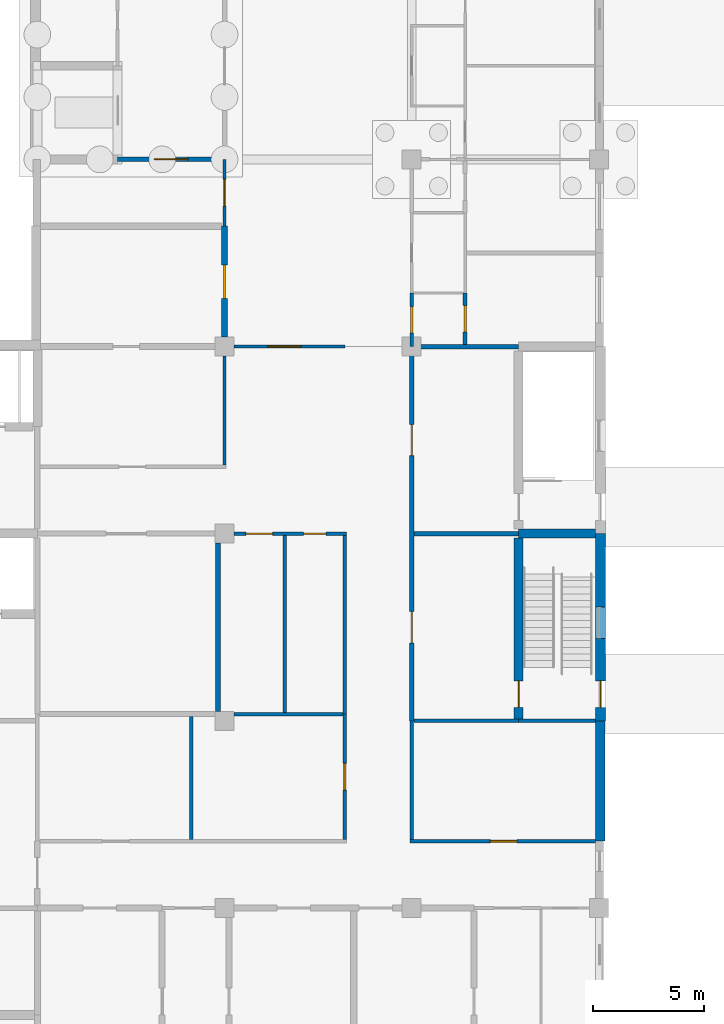
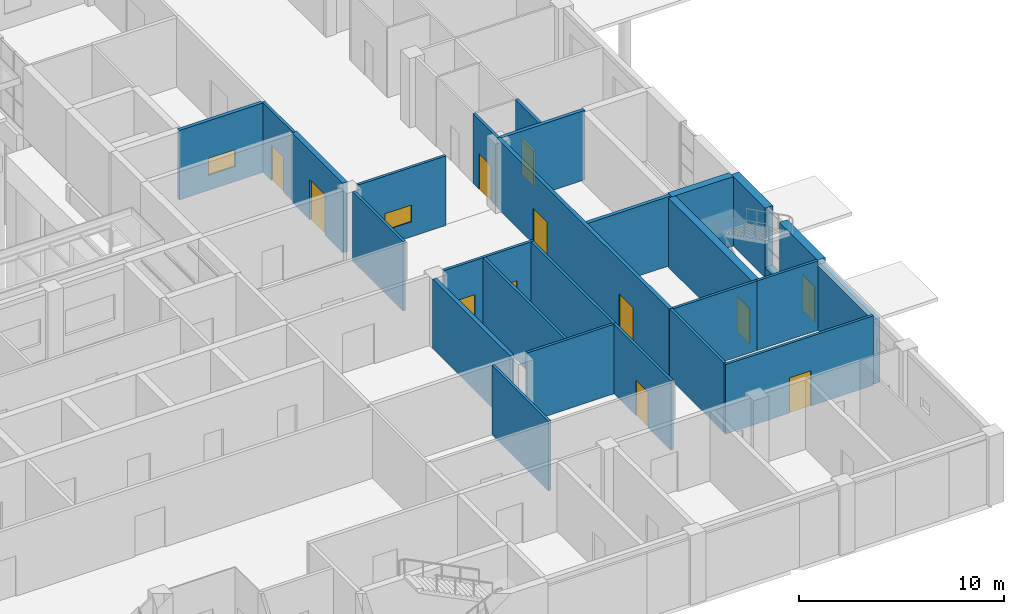
# One storey, part 115 of 138: 27 walls, 12 doors, 2 windows, 14 openings.
"""IFC4 building model written with IfcOpenShell, lengths in metres."""

from ifc_helpers import new_model, si_unit, direction, frame, frame_2d, origin, place, context, subcontext, project, spatial, rectangle, extrude, material, layer, layer_set, type_object, element, fill, save


model = new_model("IFC4")

# Units and contexts
model_context = context("Model", 3, precision=1e-05, world=origin(), true_north=direction((0.0, 1.0)))
body_context = subcontext(model_context, "Body", "Model", "MODEL_VIEW")
ifc_project = project(units=[si_unit("LENGTHUNIT", "METRE"), si_unit("AREAUNIT", "SQUARE_METRE"), si_unit("VOLUMEUNIT", "CUBIC_METRE"), si_unit("PLANEANGLEUNIT", "RADIAN"), si_unit("MASSUNIT", "GRAM", prefix="KILO")], contexts=[model_context])

# Site, building, storey
site_placement = place(None, origin())
site = spatial("IfcSite", under=ifc_project, at=site_placement, CompositionType="ELEMENT")
building_placement = place(site_placement, origin())
building = spatial("IfcBuilding", under=site, at=building_placement, Name="Yavir Park General Hospital", CompositionType="ELEMENT")
storey_placement = place(building_placement, origin())
storey = spatial("IfcBuildingStorey", under=building, at=storey_placement, Name="L00", CompositionType="ELEMENT", Elevation=0.0)

# Wall, opening, door
ifc_material_1 = material(Name="Double-leaf gypsum board acoustic partition on staggered studs")
ifc_layer_1 = layer(ifc_material_1, 0.175048828125)
ifc_layer_set_1 = layer_set([ifc_layer_1], Name="Double-leaf gypsum board acoustic partition on staggered studs")
wall_type_1 = type_object("IfcWallType", Name="Acoustic partition 175", PredefinedType="PARTITIONING", material=ifc_layer_set_1)
wall_1_placement = place(storey_placement, frame((162.0, 33.699951171875, 0.0), z_axis=(0.0, 0.0, 1.0), x_axis=(0.0, 1.0, 0.0)))
wall_1 = element("IfcWall", 1, at=wall_1_placement, inside=storey, type_object=wall_type_1, Name="AP175 L00-514", PredefinedType="PARTITIONING", context=body_context, shape_type="SweptSolid", body=[
    extrude(rectangle(XDim=2.300048828125, YDim=0.175048828125, at=frame_2d((1.14990234375, 0.0))), origin(), (0.0, 0.0, 1.0), 4.139892578125),
])
opening_1_placement = place(wall_1_placement, frame((0.550048828125, 0.0, 0.0)))
opening_1 = element("IfcOpeningElement", 2, at=opening_1_placement, cuts=wall_1, Name="Opening L00.D238", PredefinedType="OPENING", context=body_context, shape_type="SweptSolid", body=[
    extrude(rectangle(XDim=1.199951171875, YDim=2.10009765625, at=frame_2d((0.60009765625, 1.050048828125))), frame((0.0, 0.097412109375, 0.0), z_axis=(0.0, -1.0, 0.0), x_axis=(1.0, 0.0, 0.0)), (0.0, 0.0, 1.0), 0.195068359375),
])
ifc_material_2 = material(Name="Sealed steel door leaf, compression seals", Category="steel")
door_type_1 = type_object("IfcDoorType", Name="Isolation airlock door 1200 x 2100", OperationType="SINGLE_SWING_LEFT", PredefinedType="DOOR", material=ifc_material_2)
door_1_placement = place(opening_1_placement, origin())
door_1 = element("IfcDoor", 3, at=door_1_placement, inside=storey, type_object=door_type_1, Name="L00.D238", OperationType="SINGLE_SWING_LEFT", OverallHeight=2.10009765625, OverallWidth=1.199951171875, PredefinedType="DOOR", context=body_context, shape_type="SweptSolid", body=[
    extrude(rectangle(XDim=1.199951171875, YDim=2.10009765625, at=frame_2d((0.60009765625, 1.050048828125))), frame((0.0, 0.050048828125, 0.0), z_axis=(0.0, -1.0, 0.0), x_axis=(1.0, 0.0, 0.0)), (0.0, 0.0, 1.0), 0.10009765625),
])
fill(opening_1, door_1)

# Walls
ifc_material_3 = material(Name="Double gypsum board fire partition on steel studs", Category="steel")
ifc_layer_2 = layer(ifc_material_3, 0.199951171875)
ifc_layer_set_2 = layer_set([ifc_layer_2], Name="Double gypsum board fire partition on steel studs")
wall_type_2 = type_object("IfcWallType", Name="Fire-rated partition 200, EI 60", PredefinedType="PARTITIONING", material=ifc_layer_set_2)
for number, where, z_axis, x_axis, name in (
    (4, (159.699951171875, 25.199951171875, 0.0), (0.0, 0.0, 1.0), (1.0, 0.0, 0.0), "FP20 L00-073"),
    (5, (159.699951171875, 33.60009765625, 0.0), (0.0, 0.0, 1.0), (1.0, 0.0, 0.0), "FP20 L00-094"),
):
    element("IfcWall", number, at=place(storey_placement, frame(where, z_axis=z_axis, x_axis=x_axis)), inside=storey, type_object=wall_type_2, Name=name, PredefinedType="PARTITIONING", context=body_context, shape_type="SweptSolid", body=[
        extrude(rectangle(XDim=4.699951171875, YDim=0.199951171875, at=frame_2d((2.35009765625, 0.0))), origin(), (0.0, 0.0, 1.0), 4.139892578125),
    ])

# Wall, opening, window
wall_2_placement = place(storey_placement, frame((146.39990234375, 42.0, 0.0), z_axis=(0.0, 0.0, 1.0), x_axis=(1.0, 0.0, 0.0)))
wall_2 = element("IfcWall", 6, at=wall_2_placement, inside=storey, type_object=wall_type_2, Name="FP20 L00-112", PredefinedType="PARTITIONING", context=body_context, shape_type="SweptSolid", body=[
    extrude(rectangle(XDim=4.7001953125, YDim=0.199951171875, at=frame_2d((2.35009765625, 0.0))), origin(), (0.0, 0.0, 1.0), 4.139892578125),
])
opening_2_placement = place(wall_2_placement, frame((1.64990234375, 0.0, 0.89990234375)))
opening_2 = element("IfcOpeningElement", 7, at=opening_2_placement, cuts=wall_2, Name="Opening L00.905", PredefinedType="OPENING", context=body_context, shape_type="SweptSolid", body=[
    extrude(rectangle(XDim=1.5, YDim=1.0, at=frame_2d((0.75, 0.5))), frame((0.0, 0.10986328125, 0.0), z_axis=(0.0, -1.0, 0.0), x_axis=(1.0, 0.0, 0.0)), (0.0, 0.0, 1.0), 0.219970703125),
])
ifc_material_4 = material(Name="Toughened glass sliding panels, aluminium frame", Category="aluminium")
window_type = type_object("IfcWindowType", Name="Reception counter window 1500 x 1000", PartitioningType="DOUBLE_PANEL_HORIZONTAL", PredefinedType="WINDOW", material=ifc_material_4)
window_1_placement = place(opening_2_placement, origin())
window_1 = element("IfcWindow", 8, at=window_1_placement, inside=storey, type_object=window_type, Name="L00.905", OverallHeight=1.0, OverallWidth=1.5, PartitioningType="DOUBLE_PANEL_HORIZONTAL", PredefinedType="WINDOW", context=body_context, shape_type="SweptSolid", body=[
    extrude(rectangle(XDim=1.5, YDim=1.0, at=frame_2d((0.75, 0.5))), frame((0.0, 0.02490234375, 0.0), z_axis=(0.0, -1.0, 0.0), x_axis=(1.0, 0.0, 0.0)), (0.0, 0.0, 1.0), 0.050048828125),
])
fill(opening_2, window_1)

# Wall, openings, doors
wall_3_placement = place(storey_placement, frame((159.60009765625, 16.800048828125, 0.0), z_axis=(0.0, 0.0, 1.0), x_axis=(0.0, 1.0, 0.0)))
wall_3 = element("IfcWall", 9, at=wall_3_placement, inside=storey, type_object=wall_type_2, Name="FP20 L00-501", PredefinedType="PARTITIONING", context=body_context, shape_type="SweptSolid", body=[
    extrude(rectangle(XDim=16.800048828125, YDim=0.199951171875, at=frame_2d((8.39990234375, 0.0))), origin(), (0.0, 0.0, 1.0), 4.139892578125),
])
opening_3_placement = place(wall_3_placement, frame((3.5, 0.0, 0.0)))
opening_3 = element("IfcOpeningElement", 10, at=opening_3_placement, cuts=wall_3, Name="Opening L00.D232", PredefinedType="OPENING", context=body_context, shape_type="SweptSolid", body=[
    extrude(rectangle(XDim=1.39990234375, YDim=2.10009765625, at=frame_2d((0.699951171875, 1.050048828125))), frame((0.0, 0.10986328125, 0.0), z_axis=(0.0, -1.0, 0.0), x_axis=(1.0, 0.0, 0.0)), (0.0, 0.0, 1.0), 0.219970703125),
])
opening_4_placement = place(wall_3_placement, frame((11.89990234375, 0.0, 0.0)))
opening_4 = element("IfcOpeningElement", 11, at=opening_4_placement, cuts=wall_3, Name="Opening L00.D233", PredefinedType="OPENING", context=body_context, shape_type="SweptSolid", body=[
    extrude(rectangle(XDim=1.39990234375, YDim=2.10009765625, at=frame_2d((0.699951171875, 1.050048828125))), frame((0.0, 0.10986328125, 0.0), z_axis=(0.0, -1.0, 0.0), x_axis=(1.0, 0.0, 0.0)), (0.0, 0.0, 1.0), 0.219970703125),
])
ifc_material_5 = material(Name="Steel frame, fire-resisting leaves with vision panels", Category="steel")
door_type_2 = type_object("IfcDoorType", Name="Double fire door with vision panels 1400 x 2100, EI 60", OperationType="DOUBLE_DOOR_SINGLE_SWING", PredefinedType="DOOR", material=ifc_material_5)
door_2_placement = place(opening_3_placement, origin())
door_2 = element("IfcDoor", 12, at=door_2_placement, inside=storey, type_object=door_type_2, Name="L00.D232", OperationType="SINGLE_SWING_LEFT", OverallHeight=2.10009765625, OverallWidth=1.39990234375, PredefinedType="DOOR", context=body_context, shape_type="SweptSolid", body=[
    extrude(rectangle(XDim=1.39990234375, YDim=2.10009765625, at=frame_2d((0.699951171875, 1.050048828125))), frame((0.0, 0.030029296875, 0.0), z_axis=(0.0, -1.0, 0.0), x_axis=(1.0, 0.0, 0.0)), (0.0, 0.0, 1.0), 0.06005859375),
])
fill(opening_3, door_2)
door_3_placement = place(opening_4_placement, origin())
door_3 = element("IfcDoor", 13, at=door_3_placement, inside=storey, type_object=door_type_2, Name="L00.D233", OperationType="SINGLE_SWING_LEFT", OverallHeight=2.10009765625, OverallWidth=1.39990234375, PredefinedType="DOOR", context=body_context, shape_type="SweptSolid", body=[
    extrude(rectangle(XDim=1.39990234375, YDim=2.10009765625, at=frame_2d((0.699951171875, 1.050048828125))), frame((0.0, 0.030029296875, 0.0), z_axis=(0.0, -1.0, 0.0), x_axis=(1.0, 0.0, 0.0)), (0.0, 0.0, 1.0), 0.06005859375),
])
fill(opening_4, door_3)

ifc_material_6 = material(Name="Gypsum board partition on steel studs", Category="steel")
ifc_layer_3 = layer(ifc_material_6, 0.14990234375)
ifc_layer_set_3 = layer_set([ifc_layer_3], Name="Gypsum board partition on steel studs")
wall_type_3 = type_object("IfcWallType", Name="Gypsum board partition 150", PredefinedType="PARTITIONING", material=ifc_layer_set_3)
wall_4_placement = place(storey_placement, frame((151.625, 25.199951171875, 0.0), z_axis=(0.0, 0.0, 1.0), x_axis=(1.0, 0.0, 0.0)))
wall_4 = element("IfcWall", 14, at=wall_4_placement, inside=storey, type_object=wall_type_3, Name="P15 L00-072", PredefinedType="PARTITIONING", context=body_context, shape_type="SweptSolid", body=[
    extrude(rectangle(XDim=5.050048828125, YDim=0.14990234375, at=frame_2d((2.52490234375, 0.0))), origin(), (0.0, 0.0, 1.0), 4.139892578125),
])
opening_5_placement = place(wall_4_placement, frame((0.53759765625, 0.0, 0.0)))
opening_5 = element("IfcOpeningElement", 15, at=opening_5_placement, cuts=wall_4, Name="Opening L00.D067", PredefinedType="OPENING", context=body_context, shape_type="SweptSolid", body=[
    extrude(rectangle(XDim=1.199951171875, YDim=2.10009765625, at=frame_2d((0.60009765625, 1.050048828125))), frame((0.0, 0.0849609375, 0.0), z_axis=(0.0, -1.0, 0.0), x_axis=(1.0, 0.0, 0.0)), (0.0, 0.0, 1.0), 0.169921875),
])
opening_6_placement = place(wall_4_placement, frame((3.125, 0.0, 0.0)))
opening_6 = element("IfcOpeningElement", 16, at=opening_6_placement, cuts=wall_4, Name="Opening L00.D068", PredefinedType="OPENING", context=body_context, shape_type="SweptSolid", body=[
    extrude(rectangle(XDim=1.0, YDim=2.10009765625, at=frame_2d((0.5, 1.050048828125))), frame((0.0, 0.0849609375, 0.0), z_axis=(0.0, -1.0, 0.0), x_axis=(1.0, 0.0, 0.0)), (0.0, 0.0, 1.0), 0.169921875),
])
ifc_material_7 = material(Name="Hollow metal frame, solid-core timber leaf", Category="wood")
door_type_3 = type_object("IfcDoorType", Name="Single swing door 1000 x 2100", OperationType="SINGLE_SWING_LEFT", PredefinedType="DOOR", material=ifc_material_7)
door_4_placement = place(opening_6_placement, origin())
door_4 = element("IfcDoor", 17, at=door_4_placement, inside=storey, type_object=door_type_3, Name="L00.D068", OperationType="SINGLE_SWING_RIGHT", OverallHeight=2.10009765625, OverallWidth=1.0, PredefinedType="DOOR", context=body_context, shape_type="SweptSolid", body=[
    extrude(rectangle(XDim=1.0, YDim=2.10009765625, at=frame_2d((0.5, 1.050048828125))), frame((0.0, 0.02490234375, 0.0), z_axis=(0.0, -1.0, 0.0), x_axis=(1.0, 0.0, 0.0)), (0.0, 0.0, 1.0), 0.050048828125),
])
fill(opening_6, door_4)
ifc_material_8 = material(Name="Hollow metal frame, solid-core timber leaf", Category="wood")
door_type_4 = type_object("IfcDoorType", Name="Single swing door 1200 x 2100", OperationType="SINGLE_SWING_LEFT", PredefinedType="DOOR", material=ifc_material_8)
door_5_placement = place(opening_5_placement, origin())
door_5 = element("IfcDoor", 18, at=door_5_placement, inside=storey, type_object=door_type_4, Name="L00.D067", OperationType="SINGLE_SWING_RIGHT", OverallHeight=2.10009765625, OverallWidth=1.199951171875, PredefinedType="DOOR", context=body_context, shape_type="SweptSolid", body=[
    extrude(rectangle(XDim=1.199951171875, YDim=2.10009765625, at=frame_2d((0.60009765625, 1.050048828125))), frame((0.0, 0.02490234375, 0.0), z_axis=(0.0, -1.0, 0.0), x_axis=(1.0, 0.0, 0.0)), (0.0, 0.0, 1.0), 0.050048828125),
])
fill(opening_5, door_5)

# Wall, opening, window
wall_5_placement = place(storey_placement, frame((151.625, 33.60009765625, 0.0), z_axis=(0.0, 0.0, 1.0), x_axis=(1.0, 0.0, 0.0)))
wall_5 = element("IfcWall", 19, at=wall_5_placement, inside=storey, type_object=wall_type_3, Name="P15 L00-093", PredefinedType="PARTITIONING", context=body_context, shape_type="SweptSolid", body=[
    extrude(rectangle(XDim=4.97509765625, YDim=0.14990234375, at=frame_2d((2.487548828125, 0.0))), origin(), (0.0, 0.0, 1.0), 4.139892578125),
])
opening_7_placement = place(wall_5_placement, frame((1.52490234375, 0.0, 0.89990234375)))
opening_7 = element("IfcOpeningElement", 20, at=opening_7_placement, cuts=wall_5, Name="Opening L00.903", PredefinedType="OPENING", context=body_context, shape_type="SweptSolid", body=[
    extrude(rectangle(XDim=1.5, YDim=1.0, at=frame_2d((0.75, 0.5))), frame((0.0, 0.0849609375, 0.0), z_axis=(0.0, -1.0, 0.0), x_axis=(1.0, 0.0, 0.0)), (0.0, 0.0, 1.0), 0.169921875),
])
window_2_placement = place(opening_7_placement, origin())
window_2 = element("IfcWindow", 21, at=window_2_placement, inside=storey, type_object=window_type, Name="L00.903", OverallHeight=1.0, OverallWidth=1.5, PartitioningType="DOUBLE_PANEL_HORIZONTAL", PredefinedType="WINDOW", context=body_context, shape_type="SweptSolid", body=[
    extrude(rectangle(XDim=1.5, YDim=1.0, at=frame_2d((0.75, 0.5))), frame((0.0, 0.02490234375, 0.0), z_axis=(0.0, -1.0, 0.0), x_axis=(1.0, 0.0, 0.0)), (0.0, 0.0, 1.0), 0.050048828125),
])
fill(opening_7, window_2)

# Wall
wall_6_placement = place(storey_placement, frame((151.199951171875, 28.27490234375, 0.0), z_axis=(0.0, 0.0, 1.0), x_axis=(0.0, 1.0, 0.0)))
element("IfcWall", 22, at=wall_6_placement, inside=storey, type_object=wall_type_3, Name="P15 L00-484", PredefinedType="PARTITIONING", context=body_context, shape_type="SweptSolid", body=[
    extrude(rectangle(XDim=4.900146484375, YDim=0.14990234375, at=frame_2d((2.4501953125, 0.0))), origin(), (0.0, 0.0, 1.0), 4.139892578125),
])

# Wall, opening, door
wall_7_placement = place(storey_placement, frame((151.199951171875, 39.0, 0.0), z_axis=(0.0, 0.0, 1.0), x_axis=(0.0, 1.0, 0.0)))
wall_7 = element("IfcWall", 23, at=wall_7_placement, inside=storey, type_object=wall_type_3, Name="P15 L00-486", PredefinedType="PARTITIONING", context=body_context, shape_type="SweptSolid", body=[
    extrude(rectangle(XDim=3.0, YDim=0.14990234375, at=frame_2d((1.5, 0.0))), origin(), (0.0, 0.0, 1.0), 4.139892578125),
])
opening_8_placement = place(wall_7_placement, frame((0.89990234375, 0.0, 0.0)))
opening_8 = element("IfcOpeningElement", 24, at=opening_8_placement, cuts=wall_7, Name="Opening L00.D227", PredefinedType="OPENING", context=body_context, shape_type="SweptSolid", body=[
    extrude(rectangle(XDim=1.199951171875, YDim=2.10009765625, at=frame_2d((0.60009765625, 1.050048828125))), frame((0.0, 0.0849609375, 0.0), z_axis=(0.0, -1.0, 0.0), x_axis=(1.0, 0.0, 0.0)), (0.0, 0.0, 1.0), 0.169921875),
])
door_6_placement = place(opening_8_placement, origin())
door_6 = element("IfcDoor", 25, at=door_6_placement, inside=storey, type_object=door_type_4, Name="L00.D227", OperationType="SINGLE_SWING_RIGHT", OverallHeight=2.10009765625, OverallWidth=1.199951171875, PredefinedType="DOOR", context=body_context, shape_type="SweptSolid", body=[
    extrude(rectangle(XDim=1.199951171875, YDim=2.10009765625, at=frame_2d((0.60009765625, 1.050048828125))), frame((0.0, 0.02490234375, 0.0), z_axis=(0.0, -1.0, 0.0), x_axis=(1.0, 0.0, 0.0)), (0.0, 0.0, 1.0), 0.050048828125),
])
fill(opening_8, door_6)

# Walls
wall_8_placement = place(storey_placement, frame((153.89990234375, 17.175048828125, 0.0), z_axis=(0.0, 0.0, 1.0), x_axis=(0.0, 1.0, 0.0)))
element("IfcWall", 26, at=wall_8_placement, inside=storey, type_object=wall_type_3, Name="P15 L00-496", PredefinedType="PARTITIONING", context=body_context, shape_type="SweptSolid", body=[
    extrude(rectangle(XDim=7.949951171875, YDim=0.14990234375, at=frame_2d((3.97509765625, 0.0))), origin(), (0.0, 0.0, 1.0), 4.139892578125),
])
wall_9_placement = place(storey_placement, frame((156.60009765625, 17.10009765625, 0.0), z_axis=(0.0, 0.0, 1.0), x_axis=(0.0, 1.0, 0.0)))
element("IfcWall", 27, at=wall_9_placement, inside=storey, type_object=wall_type_3, Name="P15 L00-498", PredefinedType="PARTITIONING", context=body_context, shape_type="SweptSolid", body=[
    extrude(rectangle(XDim=8.02490234375, YDim=0.14990234375, at=frame_2d((4.012451171875, 0.0))), origin(), (0.0, 0.0, 1.0), 4.139892578125),
])

# Wall, opening, door
wall_10_placement = place(storey_placement, frame((159.60009765625, 33.60009765625, 0.0), z_axis=(0.0, 0.0, 1.0), x_axis=(0.0, 1.0, 0.0)))
wall_10 = element("IfcWall", 28, at=wall_10_placement, inside=storey, type_object=wall_type_3, Name="P15 L00-502", PredefinedType="PARTITIONING", context=body_context, shape_type="SweptSolid", body=[
    extrude(rectangle(XDim=2.39990234375, YDim=0.14990234375, at=frame_2d((1.199951171875, 0.0))), origin(), (0.0, 0.0, 1.0), 4.139892578125),
])
opening_9_placement = place(wall_10_placement, frame((0.60009765625, 0.0, 0.0)))
opening_9 = element("IfcOpeningElement", 29, at=opening_9_placement, cuts=wall_10, Name="Opening L00.D234", PredefinedType="OPENING", context=body_context, shape_type="SweptSolid", body=[
    extrude(rectangle(XDim=1.199951171875, YDim=2.10009765625, at=frame_2d((0.60009765625, 1.050048828125))), frame((0.0, 0.0849609375, 0.0), z_axis=(0.0, -1.0, 0.0), x_axis=(1.0, 0.0, 0.0)), (0.0, 0.0, 1.0), 0.169921875),
])
door_7_placement = place(opening_9_placement, origin())
door_7 = element("IfcDoor", 30, at=door_7_placement, inside=storey, type_object=door_type_1, Name="L00.D234", OperationType="SINGLE_SWING_LEFT", OverallHeight=2.10009765625, OverallWidth=1.199951171875, PredefinedType="DOOR", context=body_context, shape_type="SweptSolid", body=[
    extrude(rectangle(XDim=1.199951171875, YDim=2.10009765625, at=frame_2d((0.60009765625, 1.050048828125))), frame((0.0, 0.050048828125, 0.0), z_axis=(0.0, -1.0, 0.0), x_axis=(1.0, 0.0, 0.0)), (0.0, 0.0, 1.0), 0.10009765625),
])
fill(opening_9, door_7)

# Walls
ifc_material_9 = material(Name="Dense aggregate block wall, lead-lined")
ifc_layer_4 = layer(ifc_material_9, 0.22509765625)
ifc_layer_set_4 = layer_set([ifc_layer_4], Name="Dense aggregate block wall, lead-lined")
wall_type_4 = type_object("IfcWallType", Name="Lead-lined dense block shielding wall 225, EI 60", PredefinedType="SOLIDWALL", material=ifc_layer_set_4)
wall_11_placement = place(storey_placement, frame((150.89990234375, 17.22509765625, 0.0), z_axis=(0.0, 0.0, 1.0), x_axis=(0.0, 1.0, 0.0)))
element("IfcWall", 31, at=wall_11_placement, inside=storey, type_object=wall_type_4, Name="LH225 L00-483", PredefinedType="SOLIDWALL", context=body_context, shape_type="SweptSolid", body=[
    extrude(rectangle(XDim=7.5498046875, YDim=0.22509765625, at=frame_2d((3.77490234375, 0.0))), origin(), (0.0, 0.0, 1.0), 4.139892578125),
])
ifc_material_10 = material(Name="Concrete C30/37 precast panel with 3 mm lead sheet lining and mineral wool insulation", Category="concrete")
ifc_layer_5 = layer(ifc_material_10, 0.425048828125)
ifc_layer_set_5 = layer_set([ifc_layer_5], Name="Concrete C30/37 precast panel with 3 mm lead sheet lining and mineral wool insulation")
wall_type_5 = type_object("IfcWallType", Name="Lead-lined imaging room wall 425, E 30", PredefinedType="SOLIDWALL", material=ifc_layer_set_5)
wall_12_placement = place(storey_placement, frame((168.0625, 11.39990234375, 0.0), z_axis=(0.0, 0.0, 1.0), x_axis=(0.0, 1.0, 0.0)))
element("IfcWall", 32, at=wall_12_placement, inside=storey, type_object=wall_type_5, Name="XW8 L00-173", PredefinedType="SOLIDWALL", context=body_context, shape_type="SweptSolid", body=[
    extrude(rectangle(XDim=5.400146484375, YDim=0.425048828125, at=frame_2d((2.7001953125, 0.0))), origin(), (0.0, 0.0, 1.0), 3.840087890625),
])

# Wall, opening, door
ifc_material_11 = material(Name="Lead-lined gypsum board shielding partition")
ifc_layer_6 = layer(ifc_material_11, 0.14990234375)
ifc_layer_set_6 = layer_set([ifc_layer_6], Name="Lead-lined gypsum board shielding partition")
wall_type_6 = type_object("IfcWallType", Name="Lead-lined shielding partition 150, EI 60", PredefinedType="PARTITIONING", material=ifc_layer_set_6)
wall_13_placement = place(storey_placement, frame((159.52490234375, 11.39990234375, 0.0), z_axis=(0.0, 0.0, 1.0), x_axis=(1.0, 0.0, 0.0)))
wall_13 = element("IfcWall", 33, at=wall_13_placement, inside=storey, type_object=wall_type_6, Name="LL150 L00-025", PredefinedType="PARTITIONING", context=body_context, shape_type="SweptSolid", body=[
    extrude(rectangle(XDim=8.3251953125, YDim=0.14990234375, at=frame_2d((4.16259765625, 0.0))), origin(), (0.0, 0.0, 1.0), 4.139892578125),
])
opening_10_placement = place(wall_13_placement, frame((3.60009765625, 0.0, 0.0)))
opening_10 = element("IfcOpeningElement", 34, at=opening_10_placement, cuts=wall_13, Name="Opening L00.D022", PredefinedType="OPENING", context=body_context, shape_type="SweptSolid", body=[
    extrude(rectangle(XDim=1.199951171875, YDim=2.10009765625, at=frame_2d((0.60009765625, 1.050048828125))), frame((0.0, 0.0849609375, 0.0), z_axis=(0.0, -1.0, 0.0), x_axis=(1.0, 0.0, 0.0)), (0.0, 0.0, 1.0), 0.169921875),
])
ifc_material_12 = material(Name="Lead-lined steel door leaf, 2.5 mm lead", Category="steel")
door_type_5 = type_object("IfcDoorType", Name="Lead-lined door 1200 x 2100, EI 60", OperationType="SINGLE_SWING_LEFT", PredefinedType="DOOR", material=ifc_material_12)
door_8_placement = place(opening_10_placement, origin())
door_8 = element("IfcDoor", 35, at=door_8_placement, inside=storey, type_object=door_type_5, Name="L00.D022", OperationType="SINGLE_SWING_RIGHT", OverallHeight=2.10009765625, OverallWidth=1.199951171875, PredefinedType="DOOR", context=body_context, shape_type="SweptSolid", body=[
    extrude(rectangle(XDim=1.199951171875, YDim=2.10009765625, at=frame_2d((0.60009765625, 1.050048828125))), frame((0.0, 0.0400390625, 0.0), z_axis=(0.0, -1.0, 0.0), x_axis=(1.0, 0.0, 0.0)), (0.0, 0.0, 1.0), 0.080078125),
])
fill(opening_10, door_8)

# Walls
wall_14_placement = place(storey_placement, frame((159.699951171875, 16.800048828125, 0.0), z_axis=(0.0, 0.0, 1.0), x_axis=(1.0, 0.0, 0.0)))
element("IfcWall", 36, at=wall_14_placement, inside=storey, type_object=wall_type_6, Name="LL150 L00-045", PredefinedType="PARTITIONING", context=body_context, shape_type="SweptSolid", body=[
    extrude(rectangle(XDim=4.699951171875, YDim=0.14990234375, at=frame_2d((2.35009765625, 0.0))), origin(), (0.0, 0.0, 1.0), 4.139892578125),
])
wall_15_placement = place(storey_placement, frame((151.625, 17.10009765625, 0.0), z_axis=(0.0, 0.0, 1.0), x_axis=(1.0, 0.0, 0.0)))
element("IfcWall", 37, at=wall_15_placement, inside=storey, type_object=wall_type_6, Name="LL150 L00-048", PredefinedType="PARTITIONING", context=body_context, shape_type="SweptSolid", body=[
    extrude(rectangle(XDim=4.89990234375, YDim=0.14990234375, at=frame_2d((2.449951171875, 0.0))), origin(), (0.0, 0.0, 1.0), 4.139892578125),
])
wall_16_placement = place(storey_placement, frame((149.699951171875, 11.47509765625, 0.0), z_axis=(0.0, 0.0, 1.0), x_axis=(0.0, 1.0, 0.0)))
element("IfcWall", 38, at=wall_16_placement, inside=storey, type_object=wall_type_6, Name="LL150 L00-482", PredefinedType="PARTITIONING", context=body_context, shape_type="SweptSolid", body=[
    extrude(rectangle(XDim=5.512451171875, YDim=0.14990234375, at=frame_2d((2.75634765625, 0.0))), origin(), (0.0, 0.0, 1.0), 4.139892578125),
])

# Wall, opening, door
wall_17_placement = place(storey_placement, frame((156.60009765625, 11.47509765625, 0.0), z_axis=(0.0, 0.0, 1.0), x_axis=(0.0, 1.0, 0.0)))
wall_17 = element("IfcWall", 39, at=wall_17_placement, inside=storey, type_object=wall_type_6, Name="LL150 L00-497", PredefinedType="PARTITIONING", context=body_context, shape_type="SweptSolid", body=[
    extrude(rectangle(XDim=5.625, YDim=0.14990234375, at=frame_2d((2.8125, 0.0))), origin(), (0.0, 0.0, 1.0), 4.139892578125),
])
opening_11_placement = place(wall_17_placement, frame((2.21240234375, 0.0, 0.0)))
opening_11 = element("IfcOpeningElement", 40, at=opening_11_placement, cuts=wall_17, Name="Opening L00.D231", PredefinedType="OPENING", context=body_context, shape_type="SweptSolid", body=[
    extrude(rectangle(XDim=1.199951171875, YDim=2.10009765625, at=frame_2d((0.60009765625, 1.050048828125))), frame((0.0, 0.0849609375, 0.0), z_axis=(0.0, -1.0, 0.0), x_axis=(1.0, 0.0, 0.0)), (0.0, 0.0, 1.0), 0.169921875),
])
door_9_placement = place(opening_11_placement, origin())
door_9 = element("IfcDoor", 41, at=door_9_placement, inside=storey, type_object=door_type_5, Name="L00.D231", OperationType="SINGLE_SWING_LEFT", OverallHeight=2.10009765625, OverallWidth=1.199951171875, PredefinedType="DOOR", context=body_context, shape_type="SweptSolid", body=[
    extrude(rectangle(XDim=1.199951171875, YDim=2.10009765625, at=frame_2d((0.60009765625, 1.050048828125))), frame((0.0, 0.0400390625, 0.0), z_axis=(0.0, -1.0, 0.0), x_axis=(1.0, 0.0, 0.0)), (0.0, 0.0, 1.0), 0.080078125),
])
fill(opening_11, door_9)

# Walls
wall_18_placement = place(storey_placement, frame((159.60009765625, 11.47509765625, 0.0), z_axis=(0.0, 0.0, 1.0), x_axis=(0.0, 1.0, 0.0)))
element("IfcWall", 42, at=wall_18_placement, inside=storey, type_object=wall_type_6, Name="LL150 L00-500", PredefinedType="PARTITIONING", context=body_context, shape_type="SweptSolid", body=[
    extrude(rectangle(XDim=5.324951171875, YDim=0.14990234375, at=frame_2d((2.66259765625, 0.0))), origin(), (0.0, 0.0, 1.0), 4.139892578125),
])
ifc_material_13 = material(Name="Lead-lined gypsum board shielding partition")
ifc_layer_7 = layer(ifc_material_13, 0.14990234375)
ifc_layer_set_7 = layer_set([ifc_layer_7], Name="Lead-lined gypsum board shielding partition")
wall_type_7 = type_object("IfcWallType", Name="Lead-lined shielding partition 150, REI 150", PredefinedType="PARTITIONING", material=ifc_layer_set_7)
wall_19_placement = place(storey_placement, frame((164.39990234375, 16.800048828125, 0.0), z_axis=(0.0, 0.0, 1.0), x_axis=(1.0, 0.0, 0.0)))
element("IfcWall", 43, at=wall_19_placement, inside=storey, type_object=wall_type_7, Name="LL150 L00-046", PredefinedType="PARTITIONING", context=body_context, shape_type="SweptSolid", body=[
    extrude(rectangle(XDim=3.4501953125, YDim=0.14990234375, at=frame_2d((1.72509765625, 0.0))), origin(), (0.0, 0.0, 1.0), 4.139892578125),
])

# Wall, opening, door
ifc_material_14 = material(Name="Lead-lined block wall, 3 mm lead sheet, RF-sealed")
ifc_layer_8 = layer(ifc_material_14, 0.27490234375)
ifc_layer_set_8 = layer_set([ifc_layer_8], Name="Lead-lined block wall, 3 mm lead sheet, RF-sealed")
wall_type_8 = type_object("IfcWallType", Name="Lead-lined shielding wall 275, EI 60", PredefinedType="SOLIDWALL", material=ifc_layer_set_8)
wall_20_placement = place(storey_placement, frame((151.199951171875, 34.02490234375, 0.0), z_axis=(0.0, 0.0, 1.0), x_axis=(0.0, 1.0, 0.0)))
wall_20 = element("IfcWall", 44, at=wall_20_placement, inside=storey, type_object=wall_type_8, Name="LC275 L00-485", PredefinedType="SOLIDWALL", context=body_context, shape_type="SweptSolid", body=[
    extrude(rectangle(XDim=4.97509765625, YDim=0.27490234375, at=frame_2d((2.487548828125, 0.0))), origin(), (0.0, 0.0, 1.0), 4.139892578125),
])
opening_12_placement = place(wall_20_placement, frame((1.737548828125, 0.0, 0.0)))
opening_12 = element("IfcOpeningElement", 45, at=opening_12_placement, cuts=wall_20, Name="Opening L00.D226", PredefinedType="OPENING", context=body_context, shape_type="SweptSolid", body=[
    extrude(rectangle(XDim=1.5, YDim=2.39990234375, at=frame_2d((0.75, 1.199951171875))), frame((0.0, 0.1474609375, 0.0), z_axis=(0.0, -1.0, 0.0), x_axis=(1.0, 0.0, 0.0)), (0.0, 0.0, 1.0), 0.294921875),
])
ifc_material_15 = material(Name="Lead-lined steel leaves, 3 mm lead, RF-sealed frame", Category="steel")
door_type_6 = type_object("IfcDoorType", Name="Lead-lined scanner room door 1500 x 2400, EI 60", OperationType="DOUBLE_DOOR_SINGLE_SWING", PredefinedType="DOOR", material=ifc_material_15)
door_10_placement = place(opening_12_placement, origin())
door_10 = element("IfcDoor", 46, at=door_10_placement, inside=storey, type_object=door_type_6, Name="L00.D226", OperationType="SINGLE_SWING_LEFT", OverallHeight=2.39990234375, OverallWidth=1.5, PredefinedType="DOOR", context=body_context, shape_type="SweptSolid", body=[
    extrude(rectangle(XDim=1.5, YDim=2.39990234375, at=frame_2d((0.75, 1.199951171875))), frame((0.0, 0.044921875, 0.0), z_axis=(0.0, -1.0, 0.0), x_axis=(1.0, 0.0, 0.0)), (0.0, 0.0, 1.0), 0.090087890625),
])
fill(opening_12, door_10)

# Wall
ifc_material_16 = material(Name="Concrete C35/45", Category="concrete")
ifc_layer_9 = layer(ifc_material_16, 0.39990234375)
ifc_layer_set_9 = layer_set([ifc_layer_9], Name="Concrete C35/45")
wall_type_9 = type_object("IfcWallType", Name="Reinforced concrete core wall 400, REI 150", PredefinedType="SHEAR", material=ifc_layer_set_9)
wall_21_placement = place(storey_placement, frame((164.39990234375, 25.199951171875, 0.0), z_axis=(0.0, 0.0, 1.0), x_axis=(1.0, 0.0, 0.0)))
element("IfcWall", 47, at=wall_21_placement, inside=storey, type_object=wall_type_9, Name="CW40 L00-074", PredefinedType="SHEAR", context=body_context, shape_type="SweptSolid", body=[
    extrude(rectangle(XDim=3.4501953125, YDim=0.39990234375, at=frame_2d((1.72509765625, 0.0))), origin(), (0.0, 0.0, 1.0), 4.139892578125),
])

# Wall, opening, door
wall_22_placement = place(storey_placement, frame((164.39990234375, 16.875, 0.0), z_axis=(0.0, 0.0, 1.0), x_axis=(0.0, 1.0, 0.0)))
wall_22 = element("IfcWall", 48, at=wall_22_placement, inside=storey, type_object=wall_type_9, Name="CW40 L00-527", PredefinedType="SHEAR", context=body_context, shape_type="SweptSolid", body=[
    extrude(rectangle(XDim=8.125, YDim=0.39990234375, at=frame_2d((4.0625, 0.0))), origin(), (0.0, 0.0, 1.0), 4.139892578125),
])
opening_13_placement = place(wall_22_placement, frame((0.52490234375, 0.0, 0.0)))
opening_13 = element("IfcOpeningElement", 49, at=opening_13_placement, cuts=wall_22, Name="Opening L00.D248", PredefinedType="OPENING", context=body_context, shape_type="SweptSolid", body=[
    extrude(rectangle(XDim=1.199951171875, YDim=2.10009765625, at=frame_2d((0.60009765625, 1.050048828125))), frame((0.0, 0.2099609375, 0.0), z_axis=(0.0, -1.0, 0.0), x_axis=(1.0, 0.0, 0.0)), (0.0, 0.0, 1.0), 0.419921875),
])
ifc_material_17 = material(Name="Steel frame, fire-resisting timber leaf", Category="steel")
door_type_7 = type_object("IfcDoorType", Name="Fire door 1200 x 2100, EI 60", OperationType="SINGLE_SWING_LEFT", PredefinedType="DOOR", material=ifc_material_17)
door_11_placement = place(opening_13_placement, origin())
door_11 = element("IfcDoor", 50, at=door_11_placement, inside=storey, type_object=door_type_7, Name="L00.D248", OperationType="SINGLE_SWING_RIGHT", OverallHeight=2.10009765625, OverallWidth=1.199951171875, PredefinedType="DOOR", context=body_context, shape_type="SweptSolid", body=[
    extrude(rectangle(XDim=1.199951171875, YDim=2.10009765625, at=frame_2d((0.60009765625, 1.050048828125))), frame((0.0, 0.02490234375, 0.0), z_axis=(0.0, -1.0, 0.0), x_axis=(1.0, 0.0, 0.0)), (0.0, 0.0, 1.0), 0.050048828125),
])
fill(opening_13, door_11)

ifc_material_18 = material(Name="Concrete C30/37 precast panel with 150 mm mineral wool insulation", Category="concrete")
ifc_layer_10 = layer(ifc_material_18, 0.449951171875)
ifc_layer_set_10 = layer_set([ifc_layer_10], Name="Concrete C30/37 precast panel with 150 mm mineral wool insulation")
wall_type_10 = type_object("IfcWallType", Name="Stair enclosure wall 450, REI 150", PredefinedType="SOLIDWALL", material=ifc_layer_set_10)
wall_23_placement = place(storey_placement, frame((168.074951171875, 16.800048828125, 0.0), z_axis=(0.0, 0.0, 1.0), x_axis=(0.0, 1.0, 0.0)))
wall_23 = element("IfcWall", 51, at=wall_23_placement, inside=storey, type_object=wall_type_10, Name="XW6 L00-174", PredefinedType="SOLIDWALL", context=body_context, shape_type="SweptSolid", body=[
    extrude(rectangle(XDim=3.699951171875, YDim=0.449951171875, at=frame_2d((1.85009765625, 0.0))), origin(), (0.0, 0.0, 1.0), 4.139892578125),
])
opening_14_placement = place(wall_23_placement, frame((0.60009765625, 0.0, 0.0)))
opening_14 = element("IfcOpeningElement", 52, at=opening_14_placement, cuts=wall_23, Name="Opening L00.X33", PredefinedType="OPENING", context=body_context, shape_type="SweptSolid", body=[
    extrude(rectangle(XDim=1.199951171875, YDim=2.10009765625, at=frame_2d((0.60009765625, 1.050048828125))), frame((0.0, 0.23486328125, 0.0), z_axis=(0.0, -1.0, 0.0), x_axis=(1.0, 0.0, 0.0)), (0.0, 0.0, 1.0), 0.469970703125),
])
door_12_placement = place(opening_14_placement, frame((1.199951171875, 0.0, 0.0), x_axis=(-1.0, 0.0, 0.0)))
door_12 = element("IfcDoor", 53, at=door_12_placement, inside=storey, type_object=door_type_4, Name="L00.X33", OperationType="SINGLE_SWING_LEFT", OverallHeight=2.10009765625, OverallWidth=1.199951171875, PredefinedType="DOOR", context=body_context, shape_type="SweptSolid", body=[
    extrude(rectangle(XDim=1.199951171875, YDim=2.10009765625, at=frame_2d((0.60009765625, 1.050048828125))), frame((0.0, 0.02490234375, 0.0), z_axis=(0.0, -1.0, 0.0), x_axis=(1.0, 0.0, 0.0)), (0.0, 0.0, 1.0), 0.050048828125),
])
fill(opening_14, door_12)

# Walls
wall_24_placement = place(storey_placement, frame((168.074951171875, 21.89990234375, 0.0), z_axis=(0.0, 0.0, 1.0), x_axis=(0.0, 1.0, 0.0)))
element("IfcWall", 54, at=wall_24_placement, inside=storey, type_object=wall_type_10, Name="XW6 L00-175", PredefinedType="SOLIDWALL", context=body_context, shape_type="SweptSolid", body=[
    extrude(rectangle(XDim=3.300048828125, YDim=0.449951171875, at=frame_2d((1.64990234375, 0.0))), origin(), (0.0, 0.0, 1.0), 4.139892578125),
])
wall_25_placement = place(storey_placement, frame((168.074951171875, 20.5, 0.0), z_axis=(0.0, 0.0, 1.0), x_axis=(0.0, 1.0, 0.0)))
element("IfcWall", 55, at=wall_25_placement, inside=storey, type_object=wall_type_10, Name="XW6 L00-176", PredefinedType="SOLIDWALL", context=body_context, shape_type="SweptSolid", body=[
    extrude(rectangle(XDim=1.39990234375, YDim=0.449951171875, at=frame_2d((0.699951171875, 0.0))), origin(), (0.0, 0.0, 1.0), 0.60009765625),
])

save(model, "model.ifc")
